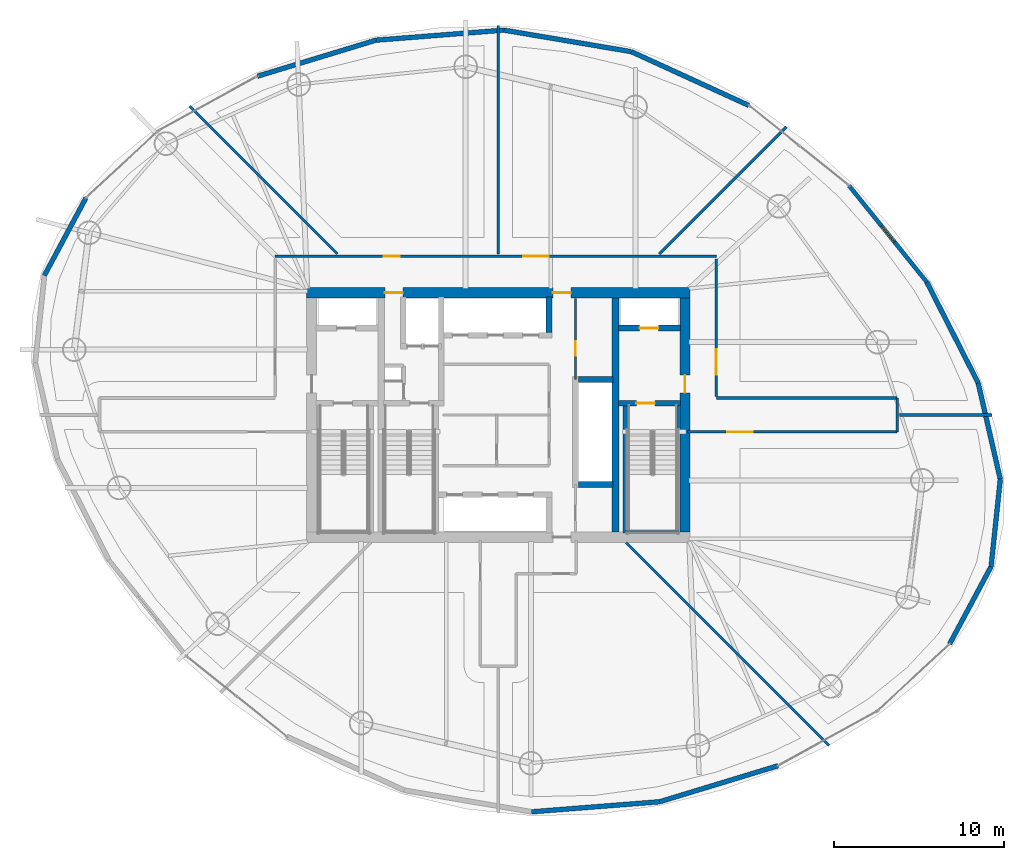
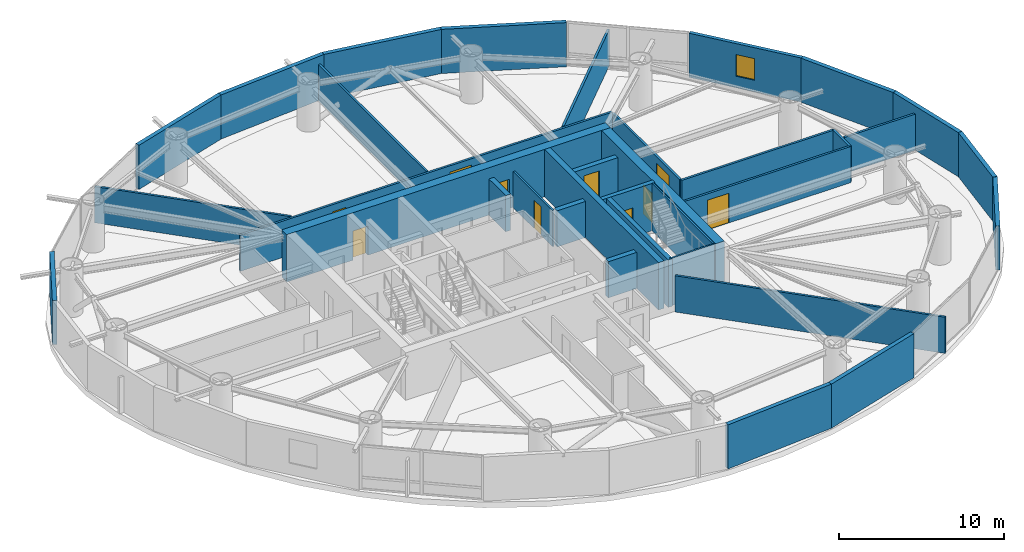
# One storey, part 15 of 21: 34 walls, 10 doors, 1 window, 11 openings.
"""IFC4 building model written with IfcOpenShell, lengths in metres."""

from ifc_helpers import new_model, si_unit, direction, frame, frame_2d, origin, place, context, subcontext, project, spatial, rectangle, extrude, material, layer, layer_set, type_object, element, fill, save


model = new_model("IFC4")

# Units and contexts
model_context = context("Model", 3, precision=1e-05, world=origin(), true_north=direction((0.0, 1.0)))
body_context = subcontext(model_context, "Body", "Model", "MODEL_VIEW")
ifc_project = project(units=[si_unit("LENGTHUNIT", "METRE"), si_unit("AREAUNIT", "SQUARE_METRE"), si_unit("VOLUMEUNIT", "CUBIC_METRE"), si_unit("PLANEANGLEUNIT", "RADIAN"), si_unit("MASSUNIT", "GRAM", prefix="KILO")], contexts=[model_context])

# Site, building, storey
site_placement = place(None, origin())
site = spatial("IfcSite", under=ifc_project, at=site_placement, CompositionType="ELEMENT")
building_placement = place(site_placement, origin())
building = spatial("IfcBuilding", under=site, at=building_placement, Name="Bramvorn Convention Spire", CompositionType="ELEMENT")
storey_placement = place(building_placement, frame((0.0, 0.0, 102.800048828125)))
storey = spatial("IfcBuildingStorey", under=building, at=storey_placement, Name="L24", CompositionType="ELEMENT", Elevation=102.800048828125)

# Wall, openings, doors
ifc_material_1 = material(Name="Concrete C60/70", Category="concrete")
ifc_layer_1 = layer(ifc_material_1, 0.60009765625)
ifc_layer_set_1 = layer_set([ifc_layer_1], Name="Concrete C60/70 - WL-CORE-600")
wall_type_1 = type_object("IfcWallType", Name="WL-CORE-600", PredefinedType="SHEAR", material=ifc_layer_set_1)
wall_1_placement = place(storey_placement, frame((26.699951171875, 33.199951171875, 0.0), z_axis=(0.0, 0.0, 1.0), x_axis=(1.0, 0.0, 0.0)))
wall_1 = element("IfcWall", 1, at=wall_1_placement, inside=storey, type_object=wall_type_1, Name="L24 North RC core shear wall", PredefinedType="SHEAR", context=body_context, shape_type="SweptSolid", body=[
    extrude(rectangle(XDim=22.60009765625, YDim=0.60009765625, at=frame_2d((11.300048828125, 0.0))), origin(), (0.0, 0.0, 1.0), 3.5),
])
opening_1_placement = place(wall_1_placement, frame((4.6201171875, 0.0, 0.0)))
opening_1 = element("IfcOpeningElement", 2, at=opening_1_placement, cuts=wall_1, Name="Opening DL-105", PredefinedType="OPENING", context=body_context, shape_type="SweptSolid", body=[
    extrude(rectangle(XDim=1.050048828125, YDim=2.14990234375, at=frame_2d((0.52490234375, 1.074951171875))), frame((0.0, 0.31005859375, 0.0), z_axis=(0.0, -1.0, 0.0), x_axis=(1.0, 0.0, 0.0)), (0.0, 0.0, 1.0), 0.6201171875),
])
opening_2_placement = place(wall_1_placement, frame((14.52001953125, 0.0, 0.0)))
opening_2 = element("IfcOpeningElement", 3, at=opening_2_placement, cuts=wall_1, Name="Opening DL-105", PredefinedType="OPENING", context=body_context, shape_type="SweptSolid", body=[
    extrude(rectangle(XDim=1.050048828125, YDim=2.14990234375, at=frame_2d((0.52490234375, 1.074951171875))), frame((0.0, 0.31005859375, 0.0), z_axis=(0.0, -1.0, 0.0), x_axis=(1.0, 0.0, 0.0)), (0.0, 0.0, 1.0), 0.6201171875),
])
ifc_material_2 = material(Name="Smoke-Sealed Fire Lobby Timber-Core Door", Category="wood")
door_type_1 = type_object("IfcDoorType", Name="DR-LOBBY-1050", OperationType="NOTDEFINED", PredefinedType="DOOR", material=ifc_material_2)
door_1_placement = place(opening_1_placement, origin())
door_1 = element("IfcDoor", 4, at=door_1_placement, inside=storey, type_object=door_type_1, Name="L24 Service & Stair ST3 Lobby north corridor door", OperationType="SINGLE_SWING_LEFT", OverallHeight=2.14990234375, OverallWidth=1.050048828125, PredefinedType="DOOR", context=body_context, shape_type="SweptSolid", body=[
    extrude(rectangle(XDim=1.050048828125, YDim=2.14990234375, at=frame_2d((0.52490234375, 1.074951171875))), frame((0.0, 0.02490234375, 0.0), z_axis=(0.0, -1.0, 0.0), x_axis=(1.0, 0.0, 0.0)), (0.0, 0.0, 1.0), 0.050048828125),
])
fill(opening_1, door_1)
door_2_placement = place(opening_2_placement, origin())
door_2 = element("IfcDoor", 5, at=door_2_placement, inside=storey, type_object=door_type_1, Name="L24 North Lift Lobby fire door", OperationType="SINGLE_SWING_LEFT", OverallHeight=2.14990234375, OverallWidth=1.050048828125, PredefinedType="DOOR", context=body_context, shape_type="SweptSolid", body=[
    extrude(rectangle(XDim=1.050048828125, YDim=2.14990234375, at=frame_2d((0.52490234375, 1.074951171875))), frame((0.0, 0.02490234375, 0.0), z_axis=(0.0, -1.0, 0.0), x_axis=(1.0, 0.0, 0.0)), (0.0, 0.0, 1.0), 0.050048828125),
])
fill(opening_2, door_2)

# Wall, opening, door
wall_2_placement = place(storey_placement, frame((49.0, 19.10009765625, 0.0), z_axis=(0.0, 0.0, 1.0), x_axis=(0.0, 1.0, 0.0)))
wall_2 = element("IfcWall", 6, at=wall_2_placement, inside=storey, type_object=wall_type_1, Name="L24 East RC core shear wall", PredefinedType="SHEAR", context=body_context, shape_type="SweptSolid", body=[
    extrude(rectangle(XDim=13.7998046875, YDim=0.60009765625, at=frame_2d((6.89990234375, 0.0))), origin(), (0.0, 0.0, 1.0), 3.5),
])
opening_3_placement = place(wall_2_placement, frame((8.199951171875, 0.0, 0.0)))
opening_3 = element("IfcOpeningElement", 7, at=opening_3_placement, cuts=wall_2, Name="Opening DL-105", PredefinedType="OPENING", context=body_context, shape_type="SweptSolid", body=[
    extrude(rectangle(XDim=1.050048828125, YDim=2.14990234375, at=frame_2d((0.52490234375, 1.074951171875))), frame((0.0, 0.31005859375, 0.0), z_axis=(0.0, -1.0, 0.0), x_axis=(1.0, 0.0, 0.0)), (0.0, 0.0, 1.0), 0.6201171875),
])
door_3_placement = place(opening_3_placement, origin())
door_3 = element("IfcDoor", 8, at=door_3_placement, inside=storey, type_object=door_type_1, Name="L24 East Firefighting Lobby corridor door", OperationType="SINGLE_SWING_LEFT", OverallHeight=2.14990234375, OverallWidth=1.050048828125, PredefinedType="DOOR", context=body_context, shape_type="SweptSolid", body=[
    extrude(rectangle(XDim=1.050048828125, YDim=2.14990234375, at=frame_2d((0.52490234375, 1.074951171875))), frame((0.0, 0.02490234375, 0.0), z_axis=(0.0, -1.0, 0.0), x_axis=(1.0, 0.0, 0.0)), (0.0, 0.0, 1.0), 0.050048828125),
])
fill(opening_3, door_3)

ifc_material_3 = material(Name="Concrete C50/60", Category="concrete")
ifc_layer_2 = layer(ifc_material_3, 0.35009765625)
ifc_layer_set_2 = layer_set([ifc_layer_2], Name="Concrete C50/60 - WL-CORE-INT-350")
wall_type_2 = type_object("IfcWallType", Name="WL-CORE-INT-350", PredefinedType="SHEAR", material=ifc_layer_set_2)
wall_3_placement = place(storey_placement, frame((45.080078125, 31.1201171875, 0.0), z_axis=(0.0, 0.0, 1.0), x_axis=(1.0, 0.0, 0.0)))
wall_3 = element("IfcWall", 9, at=wall_3_placement, inside=storey, type_object=wall_type_2, Name="L24 FE2 shaft front wall", PredefinedType="SHEAR", context=body_context, shape_type="SweptSolid", body=[
    extrude(rectangle(XDim=3.669921875, YDim=0.35009765625, at=frame_2d((1.8349609375, 0.0))), origin(), (0.0, 0.0, 1.0), 2.675048828125),
])
opening_4_placement = place(wall_3_placement, frame((1.25, 0.0, 0.0)))
opening_4 = element("IfcOpeningElement", 10, at=opening_4_placement, cuts=wall_3, Name="Opening LD-110", PredefinedType="OPENING", context=body_context, shape_type="SweptSolid", body=[
    extrude(rectangle(XDim=1.10009765625, YDim=2.14990234375, at=frame_2d((0.550048828125, 1.074951171875))), frame((0.0, 0.18505859375, 0.0), z_axis=(0.0, -1.0, 0.0), x_axis=(1.0, 0.0, 0.0)), (0.0, 0.0, 1.0), 0.3701171875),
])
ifc_material_4 = material(Name="Firefighting & Service Lift Sliding Landing Door", Category="steel")
door_type_2 = type_object("IfcDoorType", Name="DR-LIFT-LD-1100", OperationType="NOTDEFINED", PredefinedType="DOOR", material=ifc_material_4)
door_4_placement = place(opening_4_placement, origin())
door_4 = element("IfcDoor", 11, at=door_4_placement, inside=storey, type_object=door_type_2, Name="L24 Lift FE2 Sliding Landing Door", OperationType="SLIDING_TO_LEFT", OverallHeight=2.14990234375, OverallWidth=1.10009765625, PredefinedType="DOOR", context=body_context, shape_type="SweptSolid", body=[
    extrude(rectangle(XDim=1.10009765625, YDim=2.14990234375, at=frame_2d((0.550048828125, 1.074951171875))), frame((0.0, 0.02490234375, 0.0), z_axis=(0.0, -1.0, 0.0), x_axis=(1.0, 0.0, 0.0)), (0.0, 0.0, 1.0), 0.050048828125),
])
fill(opening_4, door_4)

# Walls
for number, where, z_axis, x_axis, name in (
    (12, (42.719970703125, 21.89990234375, 0.0), (0.0, 0.0, 1.0), (1.0, 0.0, 0.0), "L24 High-rise lift bank south wall"),
    (13, (42.719970703125, 28.10009765625, 0.0), (0.0, 0.0, 1.0), (1.0, 0.0, 0.0), "L24 High-rise lift bank north wall"),
):
    element("IfcWall", number, at=place(storey_placement, frame(where, z_axis=z_axis, x_axis=x_axis)), inside=storey, type_object=wall_type_2, Name=name, PredefinedType="SHEAR", context=body_context, shape_type="SweptSolid", body=[
        extrude(rectangle(XDim=2.030029296875, YDim=0.35009765625, at=frame_2d((1.01513671875, 0.0))), origin(), (0.0, 0.0, 1.0), 2.675048828125),
    ])
wall_4_placement = place(storey_placement, frame((41.0, 30.8701171875, 0.0), z_axis=(0.0, 0.0, 1.0), x_axis=(0.0, 1.0, 0.0)))
element("IfcWall", 14, at=wall_4_placement, inside=storey, type_object=wall_type_2, Name="L24 Low-rise bank east cheek wall", PredefinedType="SHEAR", context=body_context, shape_type="SweptSolid", body=[
    extrude(rectangle(XDim=2.079833984375, YDim=0.35009765625, at=frame_2d((1.0400390625, 0.0))), origin(), (0.0, 0.0, 1.0), 2.675048828125),
])
ifc_layer_3 = layer(ifc_material_1, 0.39990234375)
ifc_layer_set_3 = layer_set([ifc_layer_3], Name="Concrete C60/70 - WL-CORE-INT-400")
wall_type_3 = type_object("IfcWallType", Name="WL-CORE-INT-400", PredefinedType="SHEAR", material=ifc_layer_set_3)
wall_5_placement = place(storey_placement, frame((44.89990234375, 19.10009765625, 0.0), z_axis=(0.0, 0.0, 1.0), x_axis=(0.0, 1.0, 0.0)))
element("IfcWall", 15, at=wall_5_placement, inside=storey, type_object=wall_type_3, Name="L24 East internal core shear web", PredefinedType="SHEAR", context=body_context, shape_type="SweptSolid", body=[
    extrude(rectangle(XDim=13.7998046875, YDim=0.39990234375, at=frame_2d((6.89990234375, 0.0))), origin(), (0.0, 0.0, 1.0), 3.5),
])
ifc_material_5 = material(Name="Precast Concrete C40/50 with Bronze Terracotta Rainscreen", Category="masonry")
ifc_layer_4 = layer(ifc_material_5, 0.300048828125)
ifc_layer_set_4 = layer_set([ifc_layer_4], Name="Precast Concrete C40/50 with Bronze Terracotta Rainscreen - WL-EXT-BRONZE-300")
wall_type_4 = type_object("IfcWallType", Name="WL-EXT-BRONZE-300", PredefinedType="SOLIDWALL", material=ifc_layer_set_4)
wall_6_placement = place(storey_placement, frame((67.579833984375, 22.212890625, 0.0), z_axis=(0.0, 0.0, 1.0), x_axis=(-0.104888640348, -0.994483973288, 0.0)))
element("IfcWall", 16, at=wall_6_placement, inside=storey, type_object=wall_type_4, Name="L24 expressed bronze Gothic lancet pier wall 01", PredefinedType="SOLIDWALL", context=body_context, shape_type="SweptSolid", body=[
    extrude(rectangle(XDim=5.17431640625, YDim=0.280029296875, at=frame_2d((2.587158203125, 0.0))), origin(), (0.0, 0.0, 1.0), 3.260009765625),
])
wall_7_placement = place(storey_placement, frame((66.275634765625, 27.8876953125, 0.0), z_axis=(0.0, 0.0, 1.0), x_axis=(0.223983622279, -0.974592908322, 0.0)))
element("IfcWall", 17, at=wall_7_placement, inside=storey, type_object=wall_type_4, Name="L24 expressed bronze Gothic lancet pier wall 02", PredefinedType="SOLIDWALL", context=body_context, shape_type="SweptSolid", body=[
    extrude(rectangle(XDim=5.82275390625, YDim=0.280029296875, at=frame_2d((2.911376953125, 0.0))), origin(), (0.0, 0.0, 1.0), 3.260009765625),
])
wall_8_placement = place(storey_placement, frame((63.251220703125, 33.826904296875, 0.0), z_axis=(0.0, 0.0, 1.0), x_axis=(0.45378036064, -0.891113564198, 0.0)))
element("IfcWall", 18, at=wall_8_placement, inside=storey, type_object=wall_type_4, Name="L24 expressed bronze Gothic lancet pier wall 03", PredefinedType="SOLIDWALL", context=body_context, shape_type="SweptSolid", body=[
    extrude(rectangle(XDim=6.6650390625, YDim=0.280029296875, at=frame_2d((3.33251953125, 0.0))), origin(), (0.0, 0.0, 1.0), 3.260009765625),
])

# Wall, opening, window
wall_9_placement = place(storey_placement, frame((58.674560546875, 39.50390625, 0.0), z_axis=(0.0, 0.0, 1.0), x_axis=(0.627622215331, -0.778518050416, 0.0)))
wall_9 = element("IfcWall", 19, at=wall_9_placement, inside=storey, type_object=wall_type_4, Name="L24 bronze ceramic-frit spandrel & operable window bay 04", PredefinedType="SOLIDWALL", context=body_context, shape_type="SweptSolid", body=[
    extrude(rectangle(XDim=7.2919921875, YDim=0.239990234375, at=frame_2d((3.64599609375, 0.0))), origin(), (0.0, 0.0, 1.0), 3.260009765625),
])
opening_5_placement = place(wall_9_placement, frame((3.0458984375, 0.0, 0.85009765625)))
opening_5 = element("IfcOpeningElement", 20, at=opening_5_placement, cuts=wall_9, Name="Opening WN01", PredefinedType="OPENING", context=body_context, shape_type="SweptSolid", body=[
    extrude(rectangle(XDim=1.199951171875, YDim=1.60009765625, at=frame_2d((0.60009765625, 0.800048828125))), frame((0.0, 0.1298828125, 0.0), z_axis=(0.0, -1.0, 0.0), x_axis=(1.0, 0.0, 0.0)), (0.0, 0.0, 1.0), 0.260009765625),
])
ifc_material_6 = material(Name="Thermally Broken Bronze Aluminium & Triple Low-E Glass", Category="aluminium")
window_type = type_object("IfcWindowType", Name="WN-OP-1200X1600", PartitioningType="SINGLE_PANEL", PredefinedType="WINDOW", material=ifc_material_6)
window_placement = place(opening_5_placement, origin())
window = element("IfcWindow", 21, at=window_placement, inside=storey, type_object=window_type, Name="L24 operable parallel-vent window 04", OverallHeight=1.60009765625, OverallWidth=1.199951171875, PartitioningType="SINGLE_PANEL", PredefinedType="WINDOW", context=body_context, shape_type="SweptSolid", body=[
    extrude(rectangle(XDim=1.199951171875, YDim=1.60009765625, at=frame_2d((0.60009765625, 0.800048828125))), frame((0.0, 0.030029296875, 0.0), z_axis=(0.0, -1.0, 0.0), x_axis=(1.0, 0.0, 0.0)), (0.0, 0.0, 1.0), 0.06005859375),
])
fill(opening_5, window)

# Walls
wall_10_placement = place(storey_placement, frame((45.84130859375, 47.406982421875, 0.0), z_axis=(0.0, 0.0, 1.0), x_axis=(0.909252391781, -0.416245225847, 0.0)))
element("IfcWall", 22, at=wall_10_placement, inside=storey, type_object=wall_type_4, Name="L24 expressed bronze Gothic lancet pier wall 06", PredefinedType="SOLIDWALL", context=body_context, shape_type="SweptSolid", body=[
    extrude(rectangle(XDim=7.6171875, YDim=0.280029296875, at=frame_2d((3.80859375, 0.0))), origin(), (0.0, 0.0, 1.0), 3.260009765625),
])
wall_11_placement = place(storey_placement, frame((38.330322265625, 48.677734375, 0.0), z_axis=(0.0, 0.0, 1.0), x_axis=(0.985988185143, -0.166815163454, 0.0)))
element("IfcWall", 23, at=wall_11_placement, inside=storey, type_object=wall_type_4, Name="L24 expressed bronze Gothic lancet pier wall 07", PredefinedType="SOLIDWALL", context=body_context, shape_type="SweptSolid", body=[
    extrude(rectangle(XDim=7.61767578125, YDim=0.280029296875, at=frame_2d((3.808837890625, 0.0))), origin(), (0.0, 0.0, 1.0), 3.260009765625),
])
wall_12_placement = place(storey_placement, frame((30.78466796875, 48.083984375, 0.0), z_axis=(0.0, 0.0, 1.0), x_axis=(0.996918427712, 0.078445194169, 0.0)))
element("IfcWall", 24, at=wall_12_placement, inside=storey, type_object=wall_type_4, Name="L24 expressed bronze Gothic lancet pier wall 08", PredefinedType="SOLIDWALL", context=body_context, shape_type="SweptSolid", body=[
    extrude(rectangle(XDim=7.569091796875, YDim=0.280029296875, at=frame_2d((3.78466796875, 0.0))), origin(), (0.0, 0.0, 1.0), 3.260009765625),
])
wall_13_placement = place(storey_placement, frame((23.80859375, 45.961181640625, 0.0), z_axis=(0.0, 0.0, 1.0), x_axis=(0.95668726025, 0.291117649887, 0.0)))
element("IfcWall", 25, at=wall_13_placement, inside=storey, type_object=wall_type_4, Name="L24 expressed bronze Gothic lancet pier wall 09", PredefinedType="SOLIDWALL", context=body_context, shape_type="SweptSolid", body=[
    extrude(rectangle(XDim=7.2919921875, YDim=0.280029296875, at=frame_2d((3.64599609375, 0.0))), origin(), (0.0, 0.0, 1.0), 3.260009765625),
])
wall_14_placement = place(storey_placement, frame((11.2568359375, 34.227294921875, 0.0), z_axis=(0.0, 0.0, 1.0), x_axis=(0.472250217472, 0.881464538196, 0.0)))
element("IfcWall", 26, at=wall_14_placement, inside=storey, type_object=wall_type_4, Name="L24 expressed bronze Gothic lancet pier wall 12", PredefinedType="SOLIDWALL", context=body_context, shape_type="SweptSolid", body=[
    extrude(rectangle(XDim=5.17431640625, YDim=0.280029296875, at=frame_2d((2.587158203125, 0.0))), origin(), (0.0, 0.0, 1.0), 3.260009765625),
])
wall_15_placement = place(storey_placement, frame((47.50927734375, 3.21044921875, 0.0), z_axis=(0.0, 0.0, 1.0), x_axis=(-0.996916103358, -0.078474727561, 0.0)))
element("IfcWall", 27, at=wall_15_placement, inside=storey, type_object=wall_type_4, Name="L24 expressed bronze Gothic lancet pier wall 20", PredefinedType="SOLIDWALL", context=body_context, shape_type="SweptSolid", body=[
    extrude(rectangle(XDim=7.5693359375, YDim=0.280029296875, at=frame_2d((3.78466796875, 0.0))), origin(), (0.0, 0.0, 1.0), 3.260009765625),
])
wall_16_placement = place(storey_placement, frame((54.4853515625, 5.333251953125, 0.0), z_axis=(0.0, 0.0, 1.0), x_axis=(-0.95668726025, -0.291117649887, 0.0)))
element("IfcWall", 28, at=wall_16_placement, inside=storey, type_object=wall_type_4, Name="L24 expressed bronze Gothic lancet pier wall 21", PredefinedType="SOLIDWALL", context=body_context, shape_type="SweptSolid", body=[
    extrude(rectangle(XDim=7.2919921875, YDim=0.280029296875, at=frame_2d((3.64599609375, 0.0))), origin(), (0.0, 0.0, 1.0), 3.260009765625),
])
wall_17_placement = place(storey_placement, frame((67.037109375, 17.067138671875, 0.0), z_axis=(0.0, 0.0, 1.0), x_axis=(-0.472250217472, -0.881464538196, 0.0)))
element("IfcWall", 29, at=wall_17_placement, inside=storey, type_object=wall_type_4, Name="L24 expressed bronze Gothic lancet pier wall 24", PredefinedType="SOLIDWALL", context=body_context, shape_type="SweptSolid", body=[
    extrude(rectangle(XDim=5.17431640625, YDim=0.280029296875, at=frame_2d((2.587158203125, 0.0))), origin(), (0.0, 0.0, 1.0), 3.260009765625),
])

# Wall, opening, door
ifc_material_7 = material(Name="Metal-Stud Demountable Office Partition", Category="gypsum")
ifc_layer_5 = layer(ifc_material_7, 0.1298828125)
ifc_layer_set_5 = layer_set([ifc_layer_5], Name="Metal-Stud Demountable Office Partition - WL-PART-130")
wall_type_5 = type_object("IfcWallType", Name="WL-PART-130", PredefinedType="PARTITIONING", material=ifc_layer_set_5)
wall_18_placement = place(storey_placement, frame((42.550048828125, 28.10009765625, 0.0), z_axis=(0.0, 0.0, 1.0), x_axis=(0.0, 1.0, 0.0)))
wall_18 = element("IfcWall", 30, at=wall_18_placement, inside=storey, type_object=wall_type_5, Name="L24 KA NE IDF wall", PredefinedType="PARTITIONING", context=body_context, shape_type="SweptSolid", body=[
    extrude(rectangle(XDim=4.75, YDim=0.1298828125, at=frame_2d((2.375, 0.0))), origin(), (0.0, 0.0, 1.0), 2.675048828125),
])
opening_6_placement = place(wall_18_placement, frame((1.39990234375, 0.0, 0.0)))
opening_6 = element("IfcOpeningElement", 31, at=opening_6_placement, cuts=wall_18, Name="Opening DC-085", PredefinedType="OPENING", context=body_context, shape_type="SweptSolid", body=[
    extrude(rectangle(XDim=0.85009765625, YDim=2.10009765625, at=frame_2d((0.425048828125, 1.050048828125))), frame((0.0, 0.074951171875, 0.0), z_axis=(0.0, -1.0, 0.0), x_axis=(1.0, 0.0, 0.0)), (0.0, 0.0, 1.0), 0.14990234375),
])
ifc_material_8 = material(Name="Fire-Rated Core Washroom & IDF Door", Category="wood")
door_type_3 = type_object("IfcDoorType", Name="DR-CORE-850", OperationType="NOTDEFINED", PredefinedType="DOOR", material=ifc_material_8)
door_5_placement = place(opening_6_placement, origin())
door_5 = element("IfcDoor", 32, at=door_5_placement, inside=storey, type_object=door_type_3, Name="L24 Core IDF & BMS Room door", OperationType="SINGLE_SWING_LEFT", OverallHeight=2.10009765625, OverallWidth=0.85009765625, PredefinedType="DOOR", context=body_context, shape_type="SweptSolid", body=[
    extrude(rectangle(XDim=0.85009765625, YDim=2.10009765625, at=frame_2d((0.425048828125, 1.050048828125))), frame((0.0, 0.02490234375, 0.0), z_axis=(0.0, -1.0, 0.0), x_axis=(1.0, 0.0, 0.0)), (0.0, 0.0, 1.0), 0.050048828125),
])
fill(opening_6, door_5)

# Wall, openings, doors
ifc_material_9 = material(Name="Acoustic Metal-Stud Tenant/Corridor Partition", Category="gypsum")
ifc_layer_6 = layer(ifc_material_9, 0.14990234375)
ifc_layer_set_6 = layer_set([ifc_layer_6], Name="Acoustic Metal-Stud Tenant/Corridor Partition - WL-PART-150")
wall_type_6 = type_object("IfcWallType", Name="WL-PART-150", PredefinedType="PARTITIONING", material=ifc_layer_set_6)
wall_19_placement = place(storey_placement, frame((24.85009765625, 35.35009765625, 0.0), z_axis=(0.0, 0.0, 1.0), x_axis=(1.0, 0.0, 0.0)))
wall_19 = element("IfcWall", 33, at=wall_19_placement, inside=storey, type_object=wall_type_6, Name="L24 North gallery wall", PredefinedType="PARTITIONING", context=body_context, shape_type="SweptSolid", body=[
    extrude(rectangle(XDim=26.0, YDim=0.14990234375, at=frame_2d((13.0, 0.0))), origin(), (0.0, 0.0, 1.0), 2.675048828125),
])
opening_7_placement = place(wall_19_placement, frame((14.628173828125, 0.0, 0.0)))
opening_7 = element("IfcOpeningElement", 34, at=opening_7_placement, cuts=wall_19, Name="Opening DC-150", PredefinedType="OPENING", context=body_context, shape_type="SweptSolid", body=[
    extrude(rectangle(XDim=1.5, YDim=2.199951171875, at=frame_2d((0.75, 1.10009765625))), frame((0.0, 0.0849609375, 0.0), z_axis=(0.0, -1.0, 0.0), x_axis=(1.0, 0.0, 0.0)), (0.0, 0.0, 1.0), 0.169921875),
])
opening_8_placement = place(wall_19_placement, frame((6.406982421875, 0.0, 0.0)))
opening_8 = element("IfcOpeningElement", 35, at=opening_8_placement, cuts=wall_19, Name="Opening DH-095", PredefinedType="OPENING", context=body_context, shape_type="SweptSolid", body=[
    extrude(rectangle(XDim=0.949951171875, YDim=2.14990234375, at=frame_2d((0.47509765625, 1.074951171875))), frame((0.0, 0.0849609375, 0.0), z_axis=(0.0, -1.0, 0.0), x_axis=(1.0, 0.0, 0.0)), (0.0, 0.0, 1.0), 0.169921875),
])
ifc_material_10 = material(Name="Double-Leaf Smoke-Control Corridor Door", Category="wood")
door_type_4 = type_object("IfcDoorType", Name="DR-COR-1500", OperationType="NOTDEFINED", PredefinedType="DOOR", material=ifc_material_10)
door_6_placement = place(opening_7_placement, origin())
door_6 = element("IfcDoor", 36, at=door_6_placement, inside=storey, type_object=door_type_4, Name="L24 Sky Bar & Dining Lounge 2 door", OperationType="DOUBLE_DOOR_SINGLE_SWING", OverallHeight=2.199951171875, OverallWidth=1.5, PredefinedType="DOOR", context=body_context, shape_type="SweptSolid", body=[
    extrude(rectangle(XDim=1.5, YDim=2.199951171875, at=frame_2d((0.75, 1.10009765625))), frame((0.0, 0.02490234375, 0.0), z_axis=(0.0, -1.0, 0.0), x_axis=(1.0, 0.0, 0.0)), (0.0, 0.0, 1.0), 0.050048828125),
])
fill(opening_7, door_6)
ifc_material_11 = material(Name="Solid-Core Acoustic Guestroom Entry Door", Category="wood")
door_type_5 = type_object("IfcDoorType", Name="DR-HOTEL-950", OperationType="NOTDEFINED", PredefinedType="DOOR", material=ifc_material_11)
door_7_placement = place(opening_8_placement, origin())
door_7 = element("IfcDoor", 37, at=door_7_placement, inside=storey, type_object=door_type_5, Name="L24 Espresso & Bakery Kitchen 3 door", OperationType="SINGLE_SWING_LEFT", OverallHeight=2.14990234375, OverallWidth=0.949951171875, PredefinedType="DOOR", context=body_context, shape_type="SweptSolid", body=[
    extrude(rectangle(XDim=0.949951171875, YDim=2.14990234375, at=frame_2d((0.47509765625, 1.074951171875))), frame((0.0, 0.02490234375, 0.0), z_axis=(0.0, -1.0, 0.0), x_axis=(1.0, 0.0, 0.0)), (0.0, 0.0, 1.0), 0.050048828125),
])
fill(opening_8, door_7)

# Wall, opening, door
wall_20_placement = place(storey_placement, frame((50.85009765625, 27.080078125, 0.0), z_axis=(0.0, 0.0, 1.0), x_axis=(0.0, 1.0, 0.0)))
wall_20 = element("IfcWall", 38, at=wall_20_placement, inside=storey, type_object=wall_type_6, Name="L24 NE gallery cheek", PredefinedType="PARTITIONING", context=body_context, shape_type="SweptSolid", body=[
    extrude(rectangle(XDim=8.119873046875, YDim=0.14990234375, at=frame_2d((4.06005859375, 0.0))), origin(), (0.0, 0.0, 1.0), 2.675048828125),
])
opening_9_placement = place(wall_20_placement, frame((1.280029296875, 0.0, 0.0)))
opening_9 = element("IfcOpeningElement", 39, at=opening_9_placement, cuts=wall_20, Name="Opening DC-150", PredefinedType="OPENING", context=body_context, shape_type="SweptSolid", body=[
    extrude(rectangle(XDim=1.5, YDim=2.199951171875, at=frame_2d((0.75, 1.10009765625))), frame((0.0, 0.0849609375, 0.0), z_axis=(0.0, -1.0, 0.0), x_axis=(1.0, 0.0, 0.0)), (0.0, 0.0, 1.0), 0.169921875),
])
door_8_placement = place(opening_9_placement, origin())
door_8 = element("IfcDoor", 40, at=door_8_placement, inside=storey, type_object=door_type_4, Name="L24 Mid-Rise Reception & Transfer Lobby 1 door", OperationType="DOUBLE_DOOR_SINGLE_SWING", OverallHeight=2.199951171875, OverallWidth=1.5, PredefinedType="DOOR", context=body_context, shape_type="SweptSolid", body=[
    extrude(rectangle(XDim=1.5, YDim=2.199951171875, at=frame_2d((0.75, 1.10009765625))), frame((0.0, 0.02490234375, 0.0), z_axis=(0.0, -1.0, 0.0), x_axis=(1.0, 0.0, 0.0)), (0.0, 0.0, 1.0), 0.050048828125),
])
fill(opening_9, door_8)

# Wall
wall_21_placement = place(storey_placement, frame((50.85009765625, 27.0, 0.0), z_axis=(0.0, 0.0, 1.0), x_axis=(1.0, 0.0, 0.0)))
element("IfcWall", 41, at=wall_21_placement, inside=storey, type_object=wall_type_6, Name="L24 East wing spine north wall", PredefinedType="PARTITIONING", context=body_context, shape_type="SweptSolid", body=[
    extrude(rectangle(XDim=10.64990234375, YDim=0.14990234375, at=frame_2d((5.324951171875, 0.0))), origin(), (0.0, 0.0, 1.0), 2.675048828125),
])

# Wall, opening, door
wall_22_placement = place(storey_placement, frame((49.14990234375, 25.0, 0.0), z_axis=(0.0, 0.0, 1.0), x_axis=(1.0, 0.0, 0.0)))
wall_22 = element("IfcWall", 42, at=wall_22_placement, inside=storey, type_object=wall_type_6, Name="L24 East wing spine south wall", PredefinedType="PARTITIONING", context=body_context, shape_type="SweptSolid", body=[
    extrude(rectangle(XDim=12.35009765625, YDim=0.14990234375, at=frame_2d((6.175048828125, 0.0))), origin(), (0.0, 0.0, 1.0), 2.675048828125),
])
opening_10_placement = place(wall_22_placement, frame((2.33740234375, 0.0, 0.0)))
opening_10 = element("IfcOpeningElement", 43, at=opening_10_placement, cuts=wall_22, Name="Opening DC-150", PredefinedType="OPENING", context=body_context, shape_type="SweptSolid", body=[
    extrude(rectangle(XDim=1.5, YDim=2.199951171875, at=frame_2d((0.75, 1.10009765625))), frame((0.0, 0.0849609375, 0.0), z_axis=(0.0, -1.0, 0.0), x_axis=(1.0, 0.0, 0.0)), (0.0, 0.0, 1.0), 0.169921875),
])
door_9_placement = place(opening_10_placement, origin())
door_9 = element("IfcDoor", 44, at=door_9_placement, inside=storey, type_object=door_type_4, Name="L24 Mid-Rise Reception & Transfer Lobby 8 door", OperationType="DOUBLE_DOOR_SINGLE_SWING", OverallHeight=2.199951171875, OverallWidth=1.5, PredefinedType="DOOR", context=body_context, shape_type="SweptSolid", body=[
    extrude(rectangle(XDim=1.5, YDim=2.199951171875, at=frame_2d((0.75, 1.10009765625))), frame((0.0, 0.02490234375, 0.0), z_axis=(0.0, -1.0, 0.0), x_axis=(1.0, 0.0, 0.0)), (0.0, 0.0, 1.0), 0.050048828125),
])
fill(opening_10, door_9)

# Walls
wall_23_placement = place(storey_placement, frame((61.5, 25.0, 0.0), z_axis=(0.0, 0.0, 1.0), x_axis=(0.0, 1.0, 0.0)))
element("IfcWall", 45, at=wall_23_placement, inside=storey, type_object=wall_type_6, Name="L24 East wing spine end wall", PredefinedType="PARTITIONING", context=body_context, shape_type="SweptSolid", body=[
    extrude(rectangle(XDim=2.0, YDim=0.14990234375, at=frame_2d((1.0, 0.0))), origin(), (0.0, 0.0, 1.0), 2.675048828125),
])
wall_24_placement = place(storey_placement, frame((61.639892578125, 26.0, 0.0), z_axis=(0.0, 0.0, 1.0), x_axis=(1.0, 0.0, 0.0)))
element("IfcWall", 46, at=wall_24_placement, inside=storey, type_object=wall_type_6, Name="L24 Tenant suite partition 1", PredefinedType="PARTITIONING", context=body_context, shape_type="SweptSolid", body=[
    extrude(rectangle(XDim=5.4619140625, YDim=0.14990234375, at=frame_2d((2.73095703125, 0.0))), origin(), (0.0, 0.0, 1.0), 2.675048828125),
])
wall_25_placement = place(storey_placement, frame((47.489990234375, 35.489990234375, 0.0), z_axis=(0.0, 0.0, 1.0), x_axis=(0.707106781187, 0.707106781187, 0.0)))
element("IfcWall", 47, at=wall_25_placement, inside=storey, type_object=wall_type_6, Name="L24 Tenant suite partition 2", PredefinedType="PARTITIONING", context=body_context, shape_type="SweptSolid", body=[
    extrude(rectangle(XDim=10.597900390625, YDim=0.14990234375, at=frame_2d((5.298828125, 0.0))), origin(), (0.0, 0.0, 1.0), 2.675048828125),
])
wall_26_placement = place(storey_placement, frame((38.0, 35.489990234375, 0.0), z_axis=(0.0, 0.0, 1.0), x_axis=(0.0, 1.0, 0.0)))
element("IfcWall", 48, at=wall_26_placement, inside=storey, type_object=wall_type_6, Name="L24 Tenant suite partition 3", PredefinedType="PARTITIONING", context=body_context, shape_type="SweptSolid", body=[
    extrude(rectangle(XDim=13.446044921875, YDim=0.14990234375, at=frame_2d((6.72314453125, 0.0))), origin(), (0.0, 0.0, 1.0), 2.675048828125),
])
wall_27_placement = place(storey_placement, frame((28.510009765625, 35.489990234375, 0.0), z_axis=(0.0, 0.0, 1.0), x_axis=(-0.707106781187, 0.707106781187, 0.0)))
element("IfcWall", 49, at=wall_27_placement, inside=storey, type_object=wall_type_6, Name="L24 Tenant suite partition 4", PredefinedType="PARTITIONING", context=body_context, shape_type="SweptSolid", body=[
    extrude(rectangle(XDim=12.3037109375, YDim=0.14990234375, at=frame_2d((6.15185546875, 0.0))), origin(), (0.0, 0.0, 1.0), 2.675048828125),
])
wall_28_placement = place(storey_placement, frame((45.52001953125, 18.47998046875, 0.0), z_axis=(0.0, 0.0, 1.0), x_axis=(0.707106781187, -0.707106781187, 0.0)))
element("IfcWall", 50, at=wall_28_placement, inside=storey, type_object=wall_type_6, Name="L24 Tenant suite partition 8", PredefinedType="PARTITIONING", context=body_context, shape_type="SweptSolid", body=[
    extrude(rectangle(XDim=16.92431640625, YDim=0.14990234375, at=frame_2d((8.462158203125, 0.0))), origin(), (0.0, 0.0, 1.0), 2.675048828125),
])

# Wall, opening, door
ifc_layer_7 = layer(ifc_material_3, 0.300048828125)
ifc_layer_set_7 = layer_set([ifc_layer_7], Name="Concrete C50/60 - WL-POD-STAIR-300")
wall_type_7 = type_object("IfcWallType", Name="WL-POD-STAIR-300", PredefinedType="SHEAR", material=ifc_layer_set_7)
wall_29_placement = place(storey_placement, frame((45.080078125, 26.68994140625, 0.0), z_axis=(0.0, 0.0, 1.0), x_axis=(1.0, 0.0, 0.0)))
wall_29 = element("IfcWall", 51, at=wall_29_placement, inside=storey, type_object=wall_type_7, Name="L24 ST2 north fire wall", PredefinedType="SHEAR", context=body_context, shape_type="SweptSolid", body=[
    extrude(rectangle(XDim=3.669921875, YDim=0.300048828125, at=frame_2d((1.8349609375, 0.0))), origin(), (0.0, 0.0, 1.0), 3.5),
])
opening_11_placement = place(wall_29_placement, frame((1.050048828125, 0.0, 0.0)))
opening_11 = element("IfcOpeningElement", 52, at=opening_11_placement, cuts=wall_29, Name="Opening DS-110", PredefinedType="OPENING", context=body_context, shape_type="SweptSolid", body=[
    extrude(rectangle(XDim=1.10009765625, YDim=2.14990234375, at=frame_2d((0.550048828125, 1.074951171875))), frame((0.0, 0.159912109375, 0.0), z_axis=(0.0, -1.0, 0.0), x_axis=(1.0, 0.0, 0.0)), (0.0, 0.0, 1.0), 0.320068359375),
])
ifc_material_12 = material(Name="Fire-Rated Hollow Steel Stairwell Door", Category="steel")
door_type_6 = type_object("IfcDoorType", Name="DR-STAIR-1100", OperationType="NOTDEFINED", PredefinedType="DOOR", material=ifc_material_12)
door_10_placement = place(opening_11_placement, origin())
door_10 = element("IfcDoor", 53, at=door_10_placement, inside=storey, type_object=door_type_6, Name="L24 Stair ST2 fire door", OperationType="SINGLE_SWING_RIGHT", OverallHeight=2.14990234375, OverallWidth=1.10009765625, PredefinedType="DOOR", context=body_context, shape_type="SweptSolid", body=[
    extrude(rectangle(XDim=1.10009765625, YDim=2.14990234375, at=frame_2d((0.550048828125, 1.074951171875))), frame((0.0, 0.02490234375, 0.0), z_axis=(0.0, -1.0, 0.0), x_axis=(1.0, 0.0, 0.0)), (0.0, 0.0, 1.0), 0.050048828125),
])
fill(opening_11, door_10)

# Walls
wall_30_placement = place(storey_placement, frame((45.510009765625, 19.050048828125, 0.0), z_axis=(0.0, 0.0, 1.0), x_axis=(0.0, 1.0, 0.0)))
element("IfcWall", 54, at=wall_30_placement, inside=storey, type_object=wall_type_7, Name="L24 ST2 west bearing wall", PredefinedType="SHEAR", context=body_context, shape_type="SweptSolid", body=[
    extrude(rectangle(XDim=7.5, YDim=0.300048828125, at=frame_2d((3.75, 0.0))), origin(), (0.0, 0.0, 1.0), 3.5),
])
ifc_layer_8 = layer(ifc_material_3, 0.1201171875)
ifc_layer_set_8 = layer_set([ifc_layer_8], Name="Concrete C50/60 - WL-STAIR-RC-120")
wall_type_8 = type_object("IfcWallType", Name="WL-STAIR-RC-120", PredefinedType="SHEAR", material=ifc_layer_set_8)
wall_31_placement = place(storey_placement, frame((48.60498046875, 19.10009765625, 0.0), z_axis=(0.0, 0.0, 1.0), x_axis=(0.0, 1.0, 0.0)))
element("IfcWall", 55, at=wall_31_placement, inside=storey, type_object=wall_type_8, Name="L24 ST2 east bearing shear wall", PredefinedType="SHEAR", context=body_context, shape_type="SweptSolid", body=[
    extrude(rectangle(XDim=7.449951171875, YDim=0.1201171875, at=frame_2d((3.72509765625, 0.0))), origin(), (0.0, 0.0, 1.0), 3.5),
])
wall_32_placement = place(storey_placement, frame((45.510009765625, 19.159912109375, 0.0), z_axis=(0.0, 0.0, 1.0), x_axis=(1.0, 0.0, 0.0)))
element("IfcWall", 56, at=wall_32_placement, inside=storey, type_object=wall_type_8, Name="L24 ST2 south bearing shear wall", PredefinedType="SHEAR", context=body_context, shape_type="SweptSolid", body=[
    extrude(rectangle(XDim=3.094970703125, YDim=0.1201171875, at=frame_2d((1.54736328125, 0.0))), origin(), (0.0, 0.0, 1.0), 3.5),
])

save(model, "model.ifc")
